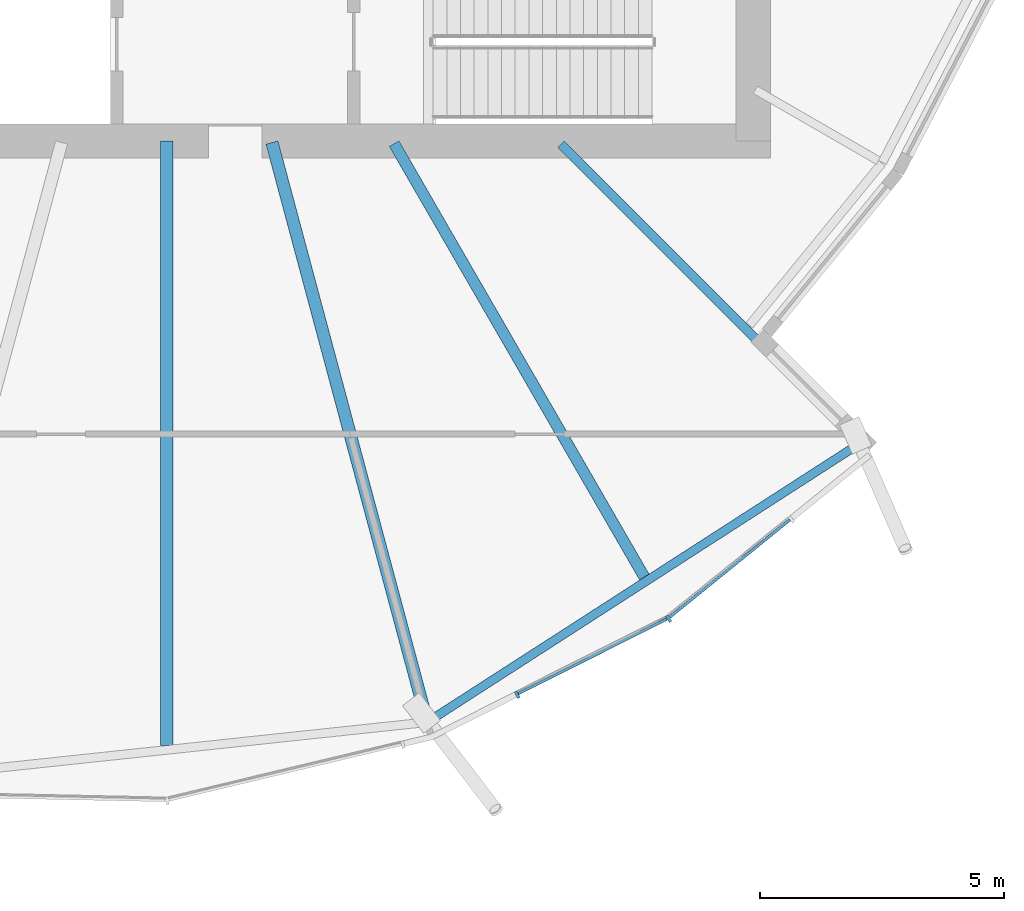
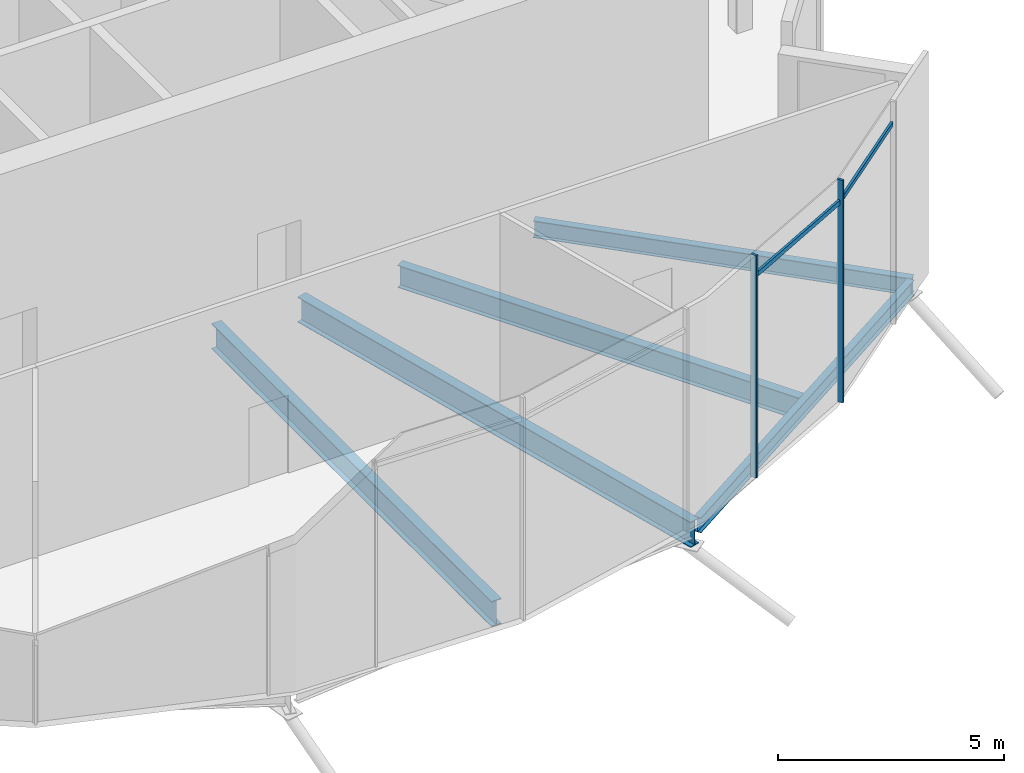
# One storey, part 11 of 38: 5 beams, 4 members, 1 element without a shape of its own.
"""IFC4 building model written with IfcOpenShell, lengths in metres."""

from ifc_helpers import new_model, si_unit, direction, frame, origin, origin_2d, place, context, subcontext, project, spatial, rectangle, i_section, extrude, material, material_profile, profile_set, type_object, element, aggregate, save


model = new_model("IFC4")

# Units and contexts
model_context = context("Model", 3, precision=1e-05, world=origin(), true_north=direction((0.0, 1.0)))
body_context = subcontext(model_context, "Body", "Model", "MODEL_VIEW")
ifc_project = project(units=[si_unit("LENGTHUNIT", "METRE"), si_unit("AREAUNIT", "SQUARE_METRE"), si_unit("VOLUMEUNIT", "CUBIC_METRE"), si_unit("PLANEANGLEUNIT", "RADIAN"), si_unit("MASSUNIT", "GRAM", prefix="KILO")], contexts=[model_context])

# Site, building, storey
site_placement = place(None, origin())
site = spatial("IfcSite", under=ifc_project, at=site_placement, CompositionType="ELEMENT")
building_placement = place(site_placement, origin())
building = spatial("IfcBuilding", under=site, at=building_placement, Name="Rimbun Link Towers", CompositionType="ELEMENT")
storey_placement = place(building_placement, frame((0.0, 0.0, 133.199951171875)))
storey = spatial("IfcBuildingStorey", under=building, at=storey_placement, Name="L32", CompositionType="ELEMENT", Elevation=133.199951171875)

# Curtain wall, members
ifc_material_1 = material(Name="Aluminium 6063-T6 and low-iron glass", Category="aluminium")
curtain_wall_type = type_object("IfcCurtainWallType", Name="CW5 full height lobby wall", PredefinedType="NOTDEFINED", material=ifc_material_1)
curtain_wall_placement = place(storey_placement, origin())
curtain_wall = element("IfcCurtainWall", 1, at=curtain_wall_placement, inside=storey, type_object=curtain_wall_type, Name="CW5 L32 T2", PredefinedType="NOTDEFINED")
ifc_material_2 = material(Name="Aluminium 6063-T6", Category="aluminium")
ifc_material_profile_1 = material_profile(ifc_material_2, rectangle(XDim=0.14990234375, YDim=0.06005859375, at=origin_2d()), Name="MULLION 60X150")
ifc_profile_set_1 = profile_set([ifc_material_profile_1], Name="Aluminium 6063-T6")
member_type_1 = type_object("IfcMemberType", Name="CW5 mullion 60X150", PredefinedType="MULLION", material=ifc_profile_set_1)
member_1_placement = place(storey_placement, frame((42.01806640625, -17.777587890625, 0.0), z_axis=(0.0, 0.0, 1.0), x_axis=(0.542101516084, -0.840313004933, 0.0)))
member_1 = element("IfcMember", 2, at=member_1_placement, type_object=member_type_1, Name="CW5 mullion", PredefinedType="MULLION", context=body_context, shape_type="SweptSolid", body=[
    extrude(rectangle(XDim=0.14990234375, YDim=0.06005859375, at=origin_2d()), origin(), (0.0, 0.0, 1.0), 6.0),
])
member_2_placement = place(storey_placement, frame((38.9228515625, -19.33251953125, 0.0), z_axis=(0.0, 0.0, 1.0), x_axis=(0.448781608432, -0.893641464981, 0.0)))
member_2 = element("IfcMember", 3, at=member_2_placement, type_object=member_type_1, Name="CW5 mullion", PredefinedType="MULLION", context=body_context, shape_type="SweptSolid", body=[
    extrude(rectangle(XDim=0.14990234375, YDim=0.06005859375, at=origin_2d()), origin(), (0.0, 0.0, 1.0), 6.0),
])
ifc_material_3 = material(Name="Aluminium 6063-T6", Category="aluminium")
ifc_material_profile_2 = material_profile(ifc_material_3, rectangle(XDim=0.06005859375, YDim=0.1201171875, at=origin_2d()), Name="TRANSOM 60X120")
ifc_profile_set_2 = profile_set([ifc_material_profile_2], Name="Aluminium 6063-T6")
member_type_2 = type_object("IfcMemberType", Name="CW5 transom 60X120", PredefinedType="USERDEFINED", material=ifc_profile_set_2)
member_3_placement = place(storey_placement, frame((41.978515625, -17.783447265625, 5.400146484375), z_axis=(-0.893649381643, -0.448765843943, 0.0), x_axis=(0.448765843943, -0.893649381643, 0.0)))
member_3 = element("IfcMember", 4, at=member_3_placement, type_object=member_type_2, Name="CW5 transom", ObjectType="TRANSOM", PredefinedType="USERDEFINED", context=body_context, shape_type="SweptSolid", body=[
    extrude(rectangle(XDim=0.06005859375, YDim=0.1201171875, at=origin_2d()), origin(), (0.0, 0.0, 1.0), 3.395751953125),
])
member_4_placement = place(storey_placement, frame((44.498779296875, -15.753662109375, 5.400146484375), z_axis=(-0.777302378381, -0.629127183138, 0.0), x_axis=(0.629127183138, -0.777302378381, 0.0)))
member_4 = element("IfcMember", 5, at=member_4_placement, type_object=member_type_2, Name="CW5 transom", ObjectType="TRANSOM", PredefinedType="USERDEFINED", context=body_context, shape_type="SweptSolid", body=[
    extrude(rectangle(XDim=0.06005859375, YDim=0.1201171875, at=origin_2d()), origin(), (0.0, 0.0, 1.0), 3.16357421875),
])
aggregate(curtain_wall, [member_1, member_2, member_3, member_4])

# Beams
ifc_material_4 = material(Name="Steel S355J2", Category="steel")
ifc_material_profile_3 = material_profile(ifc_material_4, i_section(OverallWidth=0.177978515625, OverallDepth=0.406494140625, WebThickness=0.0078125, FlangeThickness=0.0126953125, at=origin_2d()), Name="UB 406x178x60")
ifc_profile_set_3 = profile_set([ifc_material_profile_3], Name="Steel S355J2")
beam_type_1 = type_object("IfcBeamType", Name="UB 406x178x60", PredefinedType="BEAM", material=ifc_profile_set_3)
beam_1_placement = place(storey_placement, frame((37.193359375, -19.8212890625, -0.383056640625), z_axis=(0.840631448215, 0.541607577747, 0.0), x_axis=(-0.541607577747, 0.840631448215, 0.0)))
element("IfcBeam", 6, at=beam_1_placement, inside=storey, type_object=beam_type_1, Name="Edge beam T2 L32 16-18", PredefinedType="BEAM", context=body_context, shape_type="SweptSolid", body=[
    extrude(i_section(OverallWidth=0.177978515625, OverallDepth=0.406494140625, WebThickness=0.0078125, FlangeThickness=0.0126953125, at=origin_2d()), origin(), (0.0, 0.0, 1.0), 10.3037109375),
])
ifc_material_5 = material(Name="Steel S355J2", Category="steel")
ifc_material_profile_4 = material_profile(ifc_material_5, i_section(OverallWidth=0.18994140625, OverallDepth=0.453369140625, WebThickness=0.008544921875, FlangeThickness=0.0126953125, at=origin_2d()), Name="UB 457x191x67")
ifc_profile_set_4 = profile_set([ifc_material_profile_4], Name="Steel S355J2")
beam_type_2 = type_object("IfcBeamType", Name="UB 457x191x67", PredefinedType="BEAM", material=ifc_profile_set_4)
beam_2_placement = place(storey_placement, frame((39.81787109375, -8.06787109375, -0.40673828125), z_axis=(0.707106781187, -0.707106781187, 0.0), x_axis=(0.707106781187, 0.707106781187, 0.0)))
element("IfcBeam", 7, at=beam_2_placement, inside=storey, type_object=beam_type_2, Name="Radial beam T2 L32 18", PredefinedType="BEAM", context=body_context, shape_type="SweptSolid", body=[
    extrude(i_section(OverallWidth=0.18994140625, OverallDepth=0.453369140625, WebThickness=0.008544921875, FlangeThickness=0.0126953125, at=origin_2d()), origin(), (0.0, 0.0, 1.0), 8.654541015625),
])
ifc_material_6 = material(Name="Steel S355J2", Category="steel")
ifc_material_profile_5 = material_profile(ifc_material_6, i_section(OverallWidth=0.2275390625, OverallDepth=0.6025390625, WebThickness=0.010498046875, FlangeThickness=0.014892578125, at=origin_2d()), Name="UB 610x229x101")
ifc_profile_set_5 = profile_set([ifc_material_profile_5], Name="Steel S355J2")
beam_type_3 = type_object("IfcBeamType", Name="UB 610x229x101", PredefinedType="BEAM", material=ifc_profile_set_5)
beam_3_placement = place(storey_placement, frame((36.402099609375, -8.057861328125, -0.481201171875), z_axis=(0.500008646395, -0.866020411728, 0.0), x_axis=(0.866020411728, 0.500008646395, 0.0)))
element("IfcBeam", 8, at=beam_3_placement, inside=storey, type_object=beam_type_3, Name="Radial beam T2 L32 17", PredefinedType="BEAM", context=body_context, shape_type="SweptSolid", body=[
    extrude(i_section(OverallWidth=0.2275390625, OverallDepth=0.6025390625, WebThickness=0.010498046875, FlangeThickness=0.014892578125, at=origin_2d()), origin(), (0.0, 0.0, 1.0), 10.239501953125),
])
ifc_material_7 = material(Name="Steel S355J2", Category="steel")
ifc_material_profile_6 = material_profile(ifc_material_7, i_section(OverallWidth=0.253662109375, OverallDepth=0.68359375, WebThickness=0.012451171875, FlangeThickness=0.01904296875, at=origin_2d()), Name="UB 686x254x140")
ifc_profile_set_6 = profile_set([ifc_material_profile_6], Name="Steel S355J2")
beam_type_4 = type_object("IfcBeamType", Name="UB 686x254x140", PredefinedType="BEAM", material=ifc_profile_set_6)
beam_4_placement = place(storey_placement, frame((31.75, -8.0009765625, -0.521728515625), z_axis=(0.0, -1.0, 0.0), x_axis=(1.0, 0.0, 0.0)))
element("IfcBeam", 9, at=beam_4_placement, inside=storey, type_object=beam_type_4, Name="Radial beam T2 L32 15", PredefinedType="BEAM", context=body_context, shape_type="SweptSolid", body=[
    extrude(i_section(OverallWidth=0.253662109375, OverallDepth=0.68359375, WebThickness=0.012451171875, FlangeThickness=0.01904296875, at=origin_2d()), origin(), (0.0, 0.0, 1.0), 12.3701171875),
])
beam_5_placement = place(storey_placement, frame((33.902587890625, -8.03369140625, -0.521728515625), z_axis=(0.258819568836, -0.965925685955, 0.0), x_axis=(0.965925685955, 0.258819568836, 0.0)))
element("IfcBeam", 10, at=beam_5_placement, inside=storey, type_object=beam_type_4, Name="Radial beam T2 L32 16", PredefinedType="BEAM", context=body_context, shape_type="SweptSolid", body=[
    extrude(i_section(OverallWidth=0.253662109375, OverallDepth=0.68359375, WebThickness=0.012451171875, FlangeThickness=0.01904296875, at=origin_2d()), origin(), (0.0, 0.0, 1.0), 12.27880859375),
])

save(model, "model.ifc")
